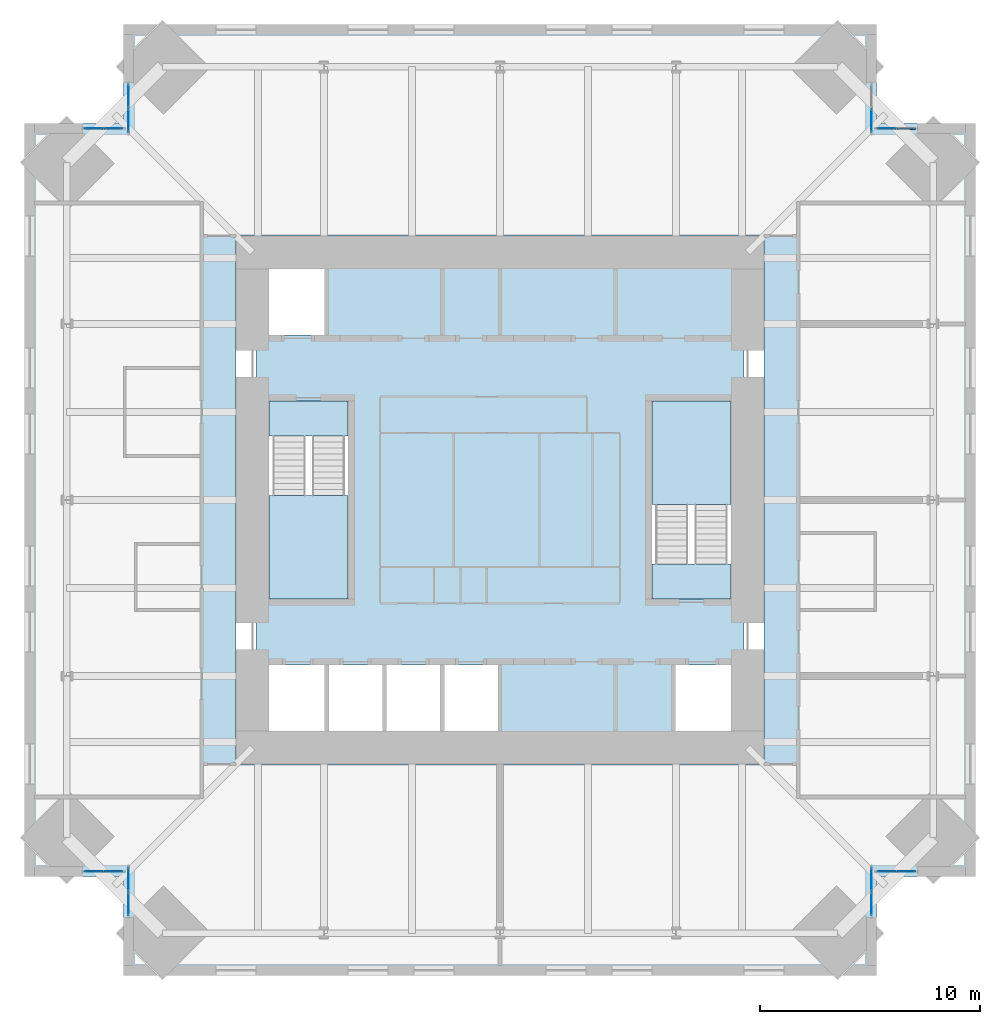
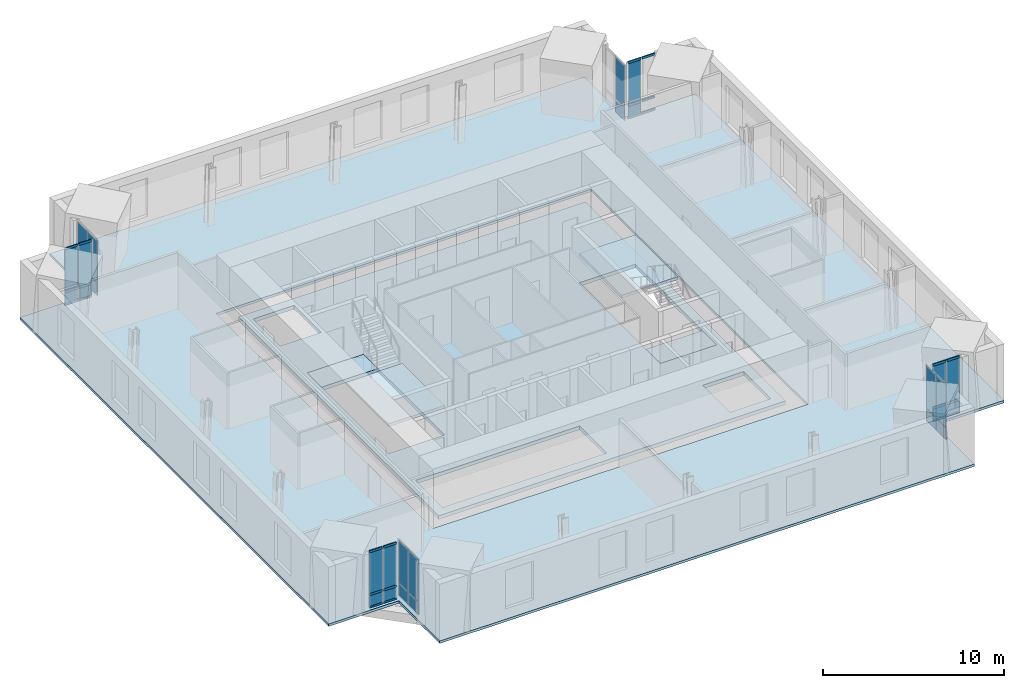
# One storey, part 10 of 16: 28 plates, 24 members, 6 slabs, 10 elements without a shape of their own.
"""IFC4 building model written with IfcOpenShell, lengths in metres."""

from ifc_helpers import new_model, si_unit, direction, frame, origin, origin_2d, place, context, subcontext, project, spatial, polyline, rectangle, hollow_rectangle, outline, extrude, material, layer, layer_set, material_profile, profile_set, type_object, element, aggregate, save


model = new_model("IFC4")

# Units and contexts
model_context = context("Model", 3, precision=1e-05, world=origin(), true_north=direction((0.0, 1.0)))
body_context = subcontext(model_context, "Body", "Model", "MODEL_VIEW")
ifc_project = project(units=[si_unit("LENGTHUNIT", "METRE"), si_unit("AREAUNIT", "SQUARE_METRE"), si_unit("VOLUMEUNIT", "CUBIC_METRE"), si_unit("PLANEANGLEUNIT", "RADIAN"), si_unit("MASSUNIT", "GRAM", prefix="KILO")], contexts=[model_context])

# Site, building, storey
site_placement = place(None, origin())
site = spatial("IfcSite", under=ifc_project, at=site_placement, CompositionType="ELEMENT")
building_placement = place(site_placement, origin())
building = spatial("IfcBuilding", under=site, at=building_placement, Name="Peilmerk Tower", CompositionType="ELEMENT")
storey_placement = place(building_placement, frame((0.0, 0.0, 277.800048828125)))
storey = spatial("IfcBuildingStorey", under=building, at=storey_placement, Name="L62", CompositionType="ELEMENT", Elevation=277.800048828125)

# Curtain wall, members
ifc_material_1 = material(Name="Aluminium stick curtain wall", Category="aluminium")
curtain_wall_type = type_object("IfcCurtainWallType", Name="CW4 stick curtain wall, 2250 module", PredefinedType="NOTDEFINED", material=ifc_material_1)
curtain_wall_1_placement = place(storey_placement, origin())
curtain_wall_1 = element("IfcCurtainWall", 1, at=curtain_wall_1_placement, inside=storey, type_object=curtain_wall_type, Name="Curtain wall CW4 NEB L62", PredefinedType="NOTDEFINED")
ifc_material_2 = material(Name="Aluminium EN AW-6063 T6", Category="aluminium")
ifc_material_profile = material_profile(ifc_material_2, hollow_rectangle(XDim=0.06494140625, YDim=0.14990234375, WallThickness=0.0029296875, at=origin_2d()), Name="AL 150x65x3")
ifc_profile_set = profile_set([ifc_material_profile], Name="Aluminium EN AW-6063 T6")
member_type = type_object("IfcMemberType", Name="CW4-T AL 150x65x3 transom", PredefinedType="USERDEFINED", material=ifc_profile_set)
member_1_placement = place(storey_placement, frame((17.1650390625, 16.875, 0.032470703125), z_axis=(1.0, 0.0, 0.0), x_axis=(0.0, 1.0, 0.0)))
member_1 = element("IfcMember", 2, at=member_1_placement, type_object=member_type, Name="CW4 transom 1.1", ObjectType="TRANSOM", PredefinedType="USERDEFINED", context=body_context, shape_type="SweptSolid", body=[
    extrude(hollow_rectangle(XDim=0.06494140625, YDim=0.14990234375, WallThickness=0.0029296875, at=origin_2d()), origin(), (0.0, 0.0, 1.0), 0.82177734375),
])
member_2_placement = place(storey_placement, frame((17.1650390625, 16.875, 0.89990234375), z_axis=(1.0, 0.0, 0.0), x_axis=(0.0, 1.0, 0.0)))
member_2 = element("IfcMember", 3, at=member_2_placement, type_object=member_type, Name="CW4 transom 1.2", ObjectType="TRANSOM", PredefinedType="USERDEFINED", context=body_context, shape_type="SweptSolid", body=[
    extrude(hollow_rectangle(XDim=0.06494140625, YDim=0.14990234375, WallThickness=0.0029296875, at=origin_2d()), origin(), (0.0, 0.0, 1.0), 0.82177734375),
])
member_3_placement = place(storey_placement, frame((17.1650390625, 16.875, 3.79736328125), z_axis=(1.0, 0.0, 0.0), x_axis=(0.0, 1.0, 0.0)))
member_3 = element("IfcMember", 4, at=member_3_placement, type_object=member_type, Name="CW4 transom 1.3", ObjectType="TRANSOM", PredefinedType="USERDEFINED", context=body_context, shape_type="SweptSolid", body=[
    extrude(hollow_rectangle(XDim=0.06494140625, YDim=0.14990234375, WallThickness=0.0029296875, at=origin_2d()), origin(), (0.0, 0.0, 1.0), 0.82177734375),
])
member_4_placement = place(storey_placement, frame((18.0517578125, 16.875, 0.032470703125), z_axis=(1.0, 0.0, 0.0), x_axis=(0.0, 1.0, 0.0)))
member_4 = element("IfcMember", 5, at=member_4_placement, type_object=member_type, Name="CW4 transom 2.1", ObjectType="TRANSOM", PredefinedType="USERDEFINED", context=body_context, shape_type="SweptSolid", body=[
    extrude(hollow_rectangle(XDim=0.06494140625, YDim=0.14990234375, WallThickness=0.0029296875, at=origin_2d()), origin(), (0.0, 0.0, 1.0), 0.822021484375),
])
member_5_placement = place(storey_placement, frame((18.0517578125, 16.875, 0.89990234375), z_axis=(1.0, 0.0, 0.0), x_axis=(0.0, 1.0, 0.0)))
member_5 = element("IfcMember", 6, at=member_5_placement, type_object=member_type, Name="CW4 transom 2.2", ObjectType="TRANSOM", PredefinedType="USERDEFINED", context=body_context, shape_type="SweptSolid", body=[
    extrude(hollow_rectangle(XDim=0.06494140625, YDim=0.14990234375, WallThickness=0.0029296875, at=origin_2d()), origin(), (0.0, 0.0, 1.0), 0.822021484375),
])
member_6_placement = place(storey_placement, frame((18.0517578125, 16.875, 3.79736328125), z_axis=(1.0, 0.0, 0.0), x_axis=(0.0, 1.0, 0.0)))
member_6 = element("IfcMember", 7, at=member_6_placement, type_object=member_type, Name="CW4 transom 2.3", ObjectType="TRANSOM", PredefinedType="USERDEFINED", context=body_context, shape_type="SweptSolid", body=[
    extrude(hollow_rectangle(XDim=0.06494140625, YDim=0.14990234375, WallThickness=0.0029296875, at=origin_2d()), origin(), (0.0, 0.0, 1.0), 0.822021484375),
])

curtain_wall_2_placement = place(storey_placement, origin())
curtain_wall_2 = element("IfcCurtainWall", 8, at=curtain_wall_2_placement, inside=storey, type_object=curtain_wall_type, Name="Curtain wall CW4 SEB L62", PredefinedType="NOTDEFINED")
member_7_placement = place(storey_placement, frame((17.1650390625, -16.875, 0.032470703125), z_axis=(1.0, 0.0, 0.0), x_axis=(0.0, 1.0, 0.0)))
member_7 = element("IfcMember", 9, at=member_7_placement, type_object=member_type, Name="CW4 transom 1.1", ObjectType="TRANSOM", PredefinedType="USERDEFINED", context=body_context, shape_type="SweptSolid", body=[
    extrude(hollow_rectangle(XDim=0.06494140625, YDim=0.14990234375, WallThickness=0.0029296875, at=origin_2d()), origin(), (0.0, 0.0, 1.0), 0.82177734375),
])
member_8_placement = place(storey_placement, frame((17.1650390625, -16.875, 0.89990234375), z_axis=(1.0, 0.0, 0.0), x_axis=(0.0, 1.0, 0.0)))
member_8 = element("IfcMember", 10, at=member_8_placement, type_object=member_type, Name="CW4 transom 1.2", ObjectType="TRANSOM", PredefinedType="USERDEFINED", context=body_context, shape_type="SweptSolid", body=[
    extrude(hollow_rectangle(XDim=0.06494140625, YDim=0.14990234375, WallThickness=0.0029296875, at=origin_2d()), origin(), (0.0, 0.0, 1.0), 0.82177734375),
])
member_9_placement = place(storey_placement, frame((17.1650390625, -16.875, 3.79736328125), z_axis=(1.0, 0.0, 0.0), x_axis=(0.0, 1.0, 0.0)))
member_9 = element("IfcMember", 11, at=member_9_placement, type_object=member_type, Name="CW4 transom 1.3", ObjectType="TRANSOM", PredefinedType="USERDEFINED", context=body_context, shape_type="SweptSolid", body=[
    extrude(hollow_rectangle(XDim=0.06494140625, YDim=0.14990234375, WallThickness=0.0029296875, at=origin_2d()), origin(), (0.0, 0.0, 1.0), 0.82177734375),
])
member_10_placement = place(storey_placement, frame((18.0517578125, -16.875, 0.032470703125), z_axis=(1.0, 0.0, 0.0), x_axis=(0.0, 1.0, 0.0)))
member_10 = element("IfcMember", 12, at=member_10_placement, type_object=member_type, Name="CW4 transom 2.1", ObjectType="TRANSOM", PredefinedType="USERDEFINED", context=body_context, shape_type="SweptSolid", body=[
    extrude(hollow_rectangle(XDim=0.06494140625, YDim=0.14990234375, WallThickness=0.0029296875, at=origin_2d()), origin(), (0.0, 0.0, 1.0), 0.822021484375),
])
member_11_placement = place(storey_placement, frame((18.0517578125, -16.875, 0.89990234375), z_axis=(1.0, 0.0, 0.0), x_axis=(0.0, 1.0, 0.0)))
member_11 = element("IfcMember", 13, at=member_11_placement, type_object=member_type, Name="CW4 transom 2.2", ObjectType="TRANSOM", PredefinedType="USERDEFINED", context=body_context, shape_type="SweptSolid", body=[
    extrude(hollow_rectangle(XDim=0.06494140625, YDim=0.14990234375, WallThickness=0.0029296875, at=origin_2d()), origin(), (0.0, 0.0, 1.0), 0.822021484375),
])
member_12_placement = place(storey_placement, frame((18.0517578125, -16.875, 3.79736328125), z_axis=(1.0, 0.0, 0.0), x_axis=(0.0, 1.0, 0.0)))
member_12 = element("IfcMember", 14, at=member_12_placement, type_object=member_type, Name="CW4 transom 2.3", ObjectType="TRANSOM", PredefinedType="USERDEFINED", context=body_context, shape_type="SweptSolid", body=[
    extrude(hollow_rectangle(XDim=0.06494140625, YDim=0.14990234375, WallThickness=0.0029296875, at=origin_2d()), origin(), (0.0, 0.0, 1.0), 0.822021484375),
])

curtain_wall_3_placement = place(storey_placement, origin())
curtain_wall_3 = element("IfcCurtainWall", 15, at=curtain_wall_3_placement, inside=storey, type_object=curtain_wall_type, Name="Curtain wall CW4 SWB L62", PredefinedType="NOTDEFINED")
member_13_placement = place(storey_placement, frame((-17.1650390625, -16.875, 0.032470703125), z_axis=(-1.0, 0.0, 0.0), x_axis=(0.0, -1.0, 0.0)))
member_13 = element("IfcMember", 16, at=member_13_placement, type_object=member_type, Name="CW4 transom 1.1", ObjectType="TRANSOM", PredefinedType="USERDEFINED", context=body_context, shape_type="SweptSolid", body=[
    extrude(hollow_rectangle(XDim=0.06494140625, YDim=0.14990234375, WallThickness=0.0029296875, at=origin_2d()), origin(), (0.0, 0.0, 1.0), 0.82177734375),
])
member_14_placement = place(storey_placement, frame((-17.1650390625, -16.875, 0.89990234375), z_axis=(-1.0, 0.0, 0.0), x_axis=(0.0, -1.0, 0.0)))
member_14 = element("IfcMember", 17, at=member_14_placement, type_object=member_type, Name="CW4 transom 1.2", ObjectType="TRANSOM", PredefinedType="USERDEFINED", context=body_context, shape_type="SweptSolid", body=[
    extrude(hollow_rectangle(XDim=0.06494140625, YDim=0.14990234375, WallThickness=0.0029296875, at=origin_2d()), origin(), (0.0, 0.0, 1.0), 0.82177734375),
])
member_15_placement = place(storey_placement, frame((-17.1650390625, -16.875, 3.79736328125), z_axis=(-1.0, 0.0, 0.0), x_axis=(0.0, -1.0, 0.0)))
member_15 = element("IfcMember", 18, at=member_15_placement, type_object=member_type, Name="CW4 transom 1.3", ObjectType="TRANSOM", PredefinedType="USERDEFINED", context=body_context, shape_type="SweptSolid", body=[
    extrude(hollow_rectangle(XDim=0.06494140625, YDim=0.14990234375, WallThickness=0.0029296875, at=origin_2d()), origin(), (0.0, 0.0, 1.0), 0.82177734375),
])
member_16_placement = place(storey_placement, frame((-18.0517578125, -16.875, 0.032470703125), z_axis=(-1.0, 0.0, 0.0), x_axis=(0.0, -1.0, 0.0)))
member_16 = element("IfcMember", 19, at=member_16_placement, type_object=member_type, Name="CW4 transom 2.1", ObjectType="TRANSOM", PredefinedType="USERDEFINED", context=body_context, shape_type="SweptSolid", body=[
    extrude(hollow_rectangle(XDim=0.06494140625, YDim=0.14990234375, WallThickness=0.0029296875, at=origin_2d()), origin(), (0.0, 0.0, 1.0), 0.822021484375),
])
member_17_placement = place(storey_placement, frame((-18.0517578125, -16.875, 0.89990234375), z_axis=(-1.0, 0.0, 0.0), x_axis=(0.0, -1.0, 0.0)))
member_17 = element("IfcMember", 20, at=member_17_placement, type_object=member_type, Name="CW4 transom 2.2", ObjectType="TRANSOM", PredefinedType="USERDEFINED", context=body_context, shape_type="SweptSolid", body=[
    extrude(hollow_rectangle(XDim=0.06494140625, YDim=0.14990234375, WallThickness=0.0029296875, at=origin_2d()), origin(), (0.0, 0.0, 1.0), 0.822021484375),
])
member_18_placement = place(storey_placement, frame((-18.0517578125, -16.875, 3.79736328125), z_axis=(-1.0, 0.0, 0.0), x_axis=(0.0, -1.0, 0.0)))
member_18 = element("IfcMember", 21, at=member_18_placement, type_object=member_type, Name="CW4 transom 2.3", ObjectType="TRANSOM", PredefinedType="USERDEFINED", context=body_context, shape_type="SweptSolid", body=[
    extrude(hollow_rectangle(XDim=0.06494140625, YDim=0.14990234375, WallThickness=0.0029296875, at=origin_2d()), origin(), (0.0, 0.0, 1.0), 0.822021484375),
])

curtain_wall_4_placement = place(storey_placement, origin())
curtain_wall_4 = element("IfcCurtainWall", 22, at=curtain_wall_4_placement, inside=storey, type_object=curtain_wall_type, Name="Curtain wall CW4 NWB L62", PredefinedType="NOTDEFINED")
member_19_placement = place(storey_placement, frame((-17.1650390625, 16.875, 0.032470703125), z_axis=(-1.0, 0.0, 0.0), x_axis=(0.0, -1.0, 0.0)))
member_19 = element("IfcMember", 23, at=member_19_placement, type_object=member_type, Name="CW4 transom 1.1", ObjectType="TRANSOM", PredefinedType="USERDEFINED", context=body_context, shape_type="SweptSolid", body=[
    extrude(hollow_rectangle(XDim=0.06494140625, YDim=0.14990234375, WallThickness=0.0029296875, at=origin_2d()), origin(), (0.0, 0.0, 1.0), 0.82177734375),
])
member_20_placement = place(storey_placement, frame((-17.1650390625, 16.875, 0.89990234375), z_axis=(-1.0, 0.0, 0.0), x_axis=(0.0, -1.0, 0.0)))
member_20 = element("IfcMember", 24, at=member_20_placement, type_object=member_type, Name="CW4 transom 1.2", ObjectType="TRANSOM", PredefinedType="USERDEFINED", context=body_context, shape_type="SweptSolid", body=[
    extrude(hollow_rectangle(XDim=0.06494140625, YDim=0.14990234375, WallThickness=0.0029296875, at=origin_2d()), origin(), (0.0, 0.0, 1.0), 0.82177734375),
])
member_21_placement = place(storey_placement, frame((-17.1650390625, 16.875, 3.79736328125), z_axis=(-1.0, 0.0, 0.0), x_axis=(0.0, -1.0, 0.0)))
member_21 = element("IfcMember", 25, at=member_21_placement, type_object=member_type, Name="CW4 transom 1.3", ObjectType="TRANSOM", PredefinedType="USERDEFINED", context=body_context, shape_type="SweptSolid", body=[
    extrude(hollow_rectangle(XDim=0.06494140625, YDim=0.14990234375, WallThickness=0.0029296875, at=origin_2d()), origin(), (0.0, 0.0, 1.0), 0.82177734375),
])
member_22_placement = place(storey_placement, frame((-18.0517578125, 16.875, 0.032470703125), z_axis=(-1.0, 0.0, 0.0), x_axis=(0.0, -1.0, 0.0)))
member_22 = element("IfcMember", 26, at=member_22_placement, type_object=member_type, Name="CW4 transom 2.1", ObjectType="TRANSOM", PredefinedType="USERDEFINED", context=body_context, shape_type="SweptSolid", body=[
    extrude(hollow_rectangle(XDim=0.06494140625, YDim=0.14990234375, WallThickness=0.0029296875, at=origin_2d()), origin(), (0.0, 0.0, 1.0), 0.822021484375),
])
member_23_placement = place(storey_placement, frame((-18.0517578125, 16.875, 0.89990234375), z_axis=(-1.0, 0.0, 0.0), x_axis=(0.0, -1.0, 0.0)))
member_23 = element("IfcMember", 27, at=member_23_placement, type_object=member_type, Name="CW4 transom 2.2", ObjectType="TRANSOM", PredefinedType="USERDEFINED", context=body_context, shape_type="SweptSolid", body=[
    extrude(hollow_rectangle(XDim=0.06494140625, YDim=0.14990234375, WallThickness=0.0029296875, at=origin_2d()), origin(), (0.0, 0.0, 1.0), 0.822021484375),
])
member_24_placement = place(storey_placement, frame((-18.0517578125, 16.875, 3.79736328125), z_axis=(-1.0, 0.0, 0.0), x_axis=(0.0, -1.0, 0.0)))
member_24 = element("IfcMember", 28, at=member_24_placement, type_object=member_type, Name="CW4 transom 2.3", ObjectType="TRANSOM", PredefinedType="USERDEFINED", context=body_context, shape_type="SweptSolid", body=[
    extrude(hollow_rectangle(XDim=0.06494140625, YDim=0.14990234375, WallThickness=0.0029296875, at=origin_2d()), origin(), (0.0, 0.0, 1.0), 0.822021484375),
])

# Slab
ifc_material_3 = material(Name="Concrete C55/67", Category="concrete")
ifc_layer_1 = layer(ifc_material_3, 0.25)
ifc_layer_set_1 = layer_set([ifc_layer_1], Name="Concrete C55/67")
slab_type_1 = type_object("IfcSlabType", Name="CS250 250 core floor slab", PredefinedType="FLOOR", material=ifc_layer_set_1)
slab_1_placement = place(storey_placement, frame((0.0, 0.0, -0.25)))
element("IfcSlab", 29, at=slab_1_placement, inside=storey, type_object=slab_type_1, Name="Core slab L62", PredefinedType="FLOOR", context=body_context, shape_type="SweptSolid", body=[
    extrude(outline(polyline([(11.10009765625, -11.10009765625), (11.10009765625, 11.10009765625), (-11.10009765625, 11.10009765625), (-11.10009765625, -11.10009765625), (11.10009765625, -11.10009765625)]), holes=[polyline([(-7.875, 7.5), (-10.5, 7.5), (-10.5, 10.5), (-7.875, 10.5), (-7.875, 7.5)]), polyline([(0.0, -10.5), (-10.5, -10.5), (-10.5, -7.5), (0.0, -7.5), (0.0, -10.5)]), polyline([(7.875, -10.5), (7.875, -7.5), (10.5, -7.5), (10.5, -10.5), (7.875, -10.5)]), polyline([(-10.5, 4.5), (-6.89990234375, 4.5), (-6.89990234375, -4.5), (-10.5, -4.5), (-10.5, 4.5)]), polyline([(10.5, 4.5), (10.5, -4.5), (6.89990234375, -4.5), (6.89990234375, 4.5), (10.5, 4.5)])]), origin(), (0.0, 0.0, 1.0), 0.25),
])

# Curtain wall, plates
curtain_wall_5_placement = place(storey_placement, origin())
curtain_wall_5 = element("IfcCurtainWall", 30, at=curtain_wall_5_placement, inside=storey, type_object=curtain_wall_type, Name="Curtain wall CW4 NEA L62", PredefinedType="NOTDEFINED")
ifc_material_4 = material(Name="Clear insulated glazing unit", Category="glass")
ifc_layer_2 = layer(ifc_material_4, 0.028076171875)
ifc_layer_set_2 = layer_set([ifc_layer_2], Name="Clear insulated glazing unit")
plate_type = type_object("IfcPlateType", Name="CW4-P 28 glazed panel", PredefinedType="CURTAIN_PANEL", material=ifc_layer_set_2)
plate_1_placement = place(storey_placement, frame((16.875, 17.238525390625, 0.06494140625), z_axis=(0.0, 0.0, 1.0), x_axis=(0.0, 1.0, 0.0)))
plate_1 = element("IfcPlate", 31, at=plate_1_placement, type_object=plate_type, Name="CW4 panel 1.1", PredefinedType="CURTAIN_PANEL", context=body_context, shape_type="SweptSolid", body=[
    extrude(rectangle(XDim=1.046875, YDim=0.028076171875, at=origin_2d()), origin(), (0.0, 0.0, 1.0), 0.802490234375),
])
plate_2_placement = place(storey_placement, frame((16.875, 17.238525390625, 0.932373046875), z_axis=(0.0, 0.0, 1.0), x_axis=(0.0, 1.0, 0.0)))
plate_2 = element("IfcPlate", 32, at=plate_2_placement, type_object=plate_type, Name="CW4 panel 1.2", PredefinedType="CURTAIN_PANEL", context=body_context, shape_type="SweptSolid", body=[
    extrude(rectangle(XDim=1.046875, YDim=0.028076171875, at=origin_2d()), origin(), (0.0, 0.0, 1.0), 2.83251953125),
])
aggregate(curtain_wall_5, [plate_1, plate_2])

# Plate
plate_3_placement = place(storey_placement, frame((17.575927734375, 16.875, 0.06494140625), z_axis=(0.0, 0.0, 1.0), x_axis=(1.0, 0.0, 0.0)))
plate_3 = element("IfcPlate", 33, at=plate_3_placement, type_object=plate_type, Name="CW4 panel 1.1", PredefinedType="CURTAIN_PANEL", context=body_context, shape_type="SweptSolid", body=[
    extrude(rectangle(XDim=0.82177734375, YDim=0.028076171875, at=origin_2d()), origin(), (0.0, 0.0, 1.0), 0.802490234375),
])

plate_4_placement = place(storey_placement, frame((17.575927734375, 16.875, 0.932373046875), z_axis=(0.0, 0.0, 1.0), x_axis=(1.0, 0.0, 0.0)))
plate_4 = element("IfcPlate", 34, at=plate_4_placement, type_object=plate_type, Name="CW4 panel 1.2", PredefinedType="CURTAIN_PANEL", context=body_context, shape_type="SweptSolid", body=[
    extrude(rectangle(XDim=0.82177734375, YDim=0.028076171875, at=origin_2d()), origin(), (0.0, 0.0, 1.0), 2.83251953125),
])

aggregate(curtain_wall_1, [member_1, member_2, member_3, plate_3, plate_4, member_4, member_5, member_6])

# Curtain wall, plates
curtain_wall_6_placement = place(storey_placement, origin())
curtain_wall_6 = element("IfcCurtainWall", 35, at=curtain_wall_6_placement, inside=storey, type_object=curtain_wall_type, Name="Curtain wall CW4 SEA L62", PredefinedType="NOTDEFINED")
plate_5_placement = place(storey_placement, frame((16.875, -17.238525390625, 0.06494140625), z_axis=(0.0, 0.0, 1.0), x_axis=(0.0, -1.0, 0.0)))
plate_5 = element("IfcPlate", 36, at=plate_5_placement, type_object=plate_type, Name="CW4 panel 1.1", PredefinedType="CURTAIN_PANEL", context=body_context, shape_type="SweptSolid", body=[
    extrude(rectangle(XDim=1.046875, YDim=0.028076171875, at=origin_2d()), origin(), (0.0, 0.0, 1.0), 0.802490234375),
])
plate_6_placement = place(storey_placement, frame((16.875, -17.238525390625, 0.932373046875), z_axis=(0.0, 0.0, 1.0), x_axis=(0.0, -1.0, 0.0)))
plate_6 = element("IfcPlate", 37, at=plate_6_placement, type_object=plate_type, Name="CW4 panel 1.2", PredefinedType="CURTAIN_PANEL", context=body_context, shape_type="SweptSolid", body=[
    extrude(rectangle(XDim=1.046875, YDim=0.028076171875, at=origin_2d()), origin(), (0.0, 0.0, 1.0), 2.83251953125),
])
plate_7_placement = place(storey_placement, frame((16.875, -18.350341796875, 0.06494140625), z_axis=(0.0, 0.0, 1.0), x_axis=(0.0, -1.0, 0.0)))
plate_7 = element("IfcPlate", 38, at=plate_7_placement, type_object=plate_type, Name="CW4 panel 2.1", PredefinedType="CURTAIN_PANEL", context=body_context, shape_type="SweptSolid", body=[
    extrude(rectangle(XDim=1.046875, YDim=0.028076171875, at=origin_2d()), origin(), (0.0, 0.0, 1.0), 0.802490234375),
])
plate_8_placement = place(storey_placement, frame((16.875, -18.350341796875, 0.932373046875), z_axis=(0.0, 0.0, 1.0), x_axis=(0.0, -1.0, 0.0)))
plate_8 = element("IfcPlate", 39, at=plate_8_placement, type_object=plate_type, Name="CW4 panel 2.2", PredefinedType="CURTAIN_PANEL", context=body_context, shape_type="SweptSolid", body=[
    extrude(rectangle(XDim=1.046875, YDim=0.028076171875, at=origin_2d()), origin(), (0.0, 0.0, 1.0), 2.83251953125),
])
aggregate(curtain_wall_6, [plate_5, plate_6, plate_7, plate_8])

# Plate
plate_9_placement = place(storey_placement, frame((17.575927734375, -16.875, 0.06494140625), z_axis=(0.0, 0.0, 1.0), x_axis=(1.0, 0.0, 0.0)))
plate_9 = element("IfcPlate", 40, at=plate_9_placement, type_object=plate_type, Name="CW4 panel 1.1", PredefinedType="CURTAIN_PANEL", context=body_context, shape_type="SweptSolid", body=[
    extrude(rectangle(XDim=0.82177734375, YDim=0.028076171875, at=origin_2d()), origin(), (0.0, 0.0, 1.0), 0.802490234375),
])

plate_10_placement = place(storey_placement, frame((17.575927734375, -16.875, 0.932373046875), z_axis=(0.0, 0.0, 1.0), x_axis=(1.0, 0.0, 0.0)))
plate_10 = element("IfcPlate", 41, at=plate_10_placement, type_object=plate_type, Name="CW4 panel 1.2", PredefinedType="CURTAIN_PANEL", context=body_context, shape_type="SweptSolid", body=[
    extrude(rectangle(XDim=0.82177734375, YDim=0.028076171875, at=origin_2d()), origin(), (0.0, 0.0, 1.0), 2.83251953125),
])

plate_11_placement = place(storey_placement, frame((18.462646484375, -16.875, 0.06494140625), z_axis=(0.0, 0.0, 1.0), x_axis=(1.0, 0.0, 0.0)))
plate_11 = element("IfcPlate", 42, at=plate_11_placement, type_object=plate_type, Name="CW4 panel 2.1", PredefinedType="CURTAIN_PANEL", context=body_context, shape_type="SweptSolid", body=[
    extrude(rectangle(XDim=0.82177734375, YDim=0.028076171875, at=origin_2d()), origin(), (0.0, 0.0, 1.0), 0.802490234375),
])

plate_12_placement = place(storey_placement, frame((18.462646484375, -16.875, 0.932373046875), z_axis=(0.0, 0.0, 1.0), x_axis=(1.0, 0.0, 0.0)))
plate_12 = element("IfcPlate", 43, at=plate_12_placement, type_object=plate_type, Name="CW4 panel 2.2", PredefinedType="CURTAIN_PANEL", context=body_context, shape_type="SweptSolid", body=[
    extrude(rectangle(XDim=0.82177734375, YDim=0.028076171875, at=origin_2d()), origin(), (0.0, 0.0, 1.0), 2.83251953125),
])

aggregate(curtain_wall_2, [member_7, member_8, member_9, plate_9, plate_10, member_10, member_11, member_12, plate_11, plate_12])

# Curtain wall, plates
curtain_wall_7_placement = place(storey_placement, origin())
curtain_wall_7 = element("IfcCurtainWall", 44, at=curtain_wall_7_placement, inside=storey, type_object=curtain_wall_type, Name="Curtain wall CW4 SWA L62", PredefinedType="NOTDEFINED")
plate_13_placement = place(storey_placement, frame((-16.875, -17.238525390625, 0.06494140625), z_axis=(0.0, 0.0, 1.0), x_axis=(0.0, -1.0, 0.0)))
plate_13 = element("IfcPlate", 45, at=plate_13_placement, type_object=plate_type, Name="CW4 panel 1.1", PredefinedType="CURTAIN_PANEL", context=body_context, shape_type="SweptSolid", body=[
    extrude(rectangle(XDim=1.046875, YDim=0.028076171875, at=origin_2d()), origin(), (0.0, 0.0, 1.0), 0.802490234375),
])
plate_14_placement = place(storey_placement, frame((-16.875, -17.238525390625, 0.932373046875), z_axis=(0.0, 0.0, 1.0), x_axis=(0.0, -1.0, 0.0)))
plate_14 = element("IfcPlate", 46, at=plate_14_placement, type_object=plate_type, Name="CW4 panel 1.2", PredefinedType="CURTAIN_PANEL", context=body_context, shape_type="SweptSolid", body=[
    extrude(rectangle(XDim=1.046875, YDim=0.028076171875, at=origin_2d()), origin(), (0.0, 0.0, 1.0), 2.83251953125),
])
plate_15_placement = place(storey_placement, frame((-16.875, -18.350341796875, 0.06494140625), z_axis=(0.0, 0.0, 1.0), x_axis=(0.0, -1.0, 0.0)))
plate_15 = element("IfcPlate", 47, at=plate_15_placement, type_object=plate_type, Name="CW4 panel 2.1", PredefinedType="CURTAIN_PANEL", context=body_context, shape_type="SweptSolid", body=[
    extrude(rectangle(XDim=1.046875, YDim=0.028076171875, at=origin_2d()), origin(), (0.0, 0.0, 1.0), 0.802490234375),
])
plate_16_placement = place(storey_placement, frame((-16.875, -18.350341796875, 0.932373046875), z_axis=(0.0, 0.0, 1.0), x_axis=(0.0, -1.0, 0.0)))
plate_16 = element("IfcPlate", 48, at=plate_16_placement, type_object=plate_type, Name="CW4 panel 2.2", PredefinedType="CURTAIN_PANEL", context=body_context, shape_type="SweptSolid", body=[
    extrude(rectangle(XDim=1.046875, YDim=0.028076171875, at=origin_2d()), origin(), (0.0, 0.0, 1.0), 2.83251953125),
])
aggregate(curtain_wall_7, [plate_13, plate_14, plate_15, plate_16])

# Plate
plate_17_placement = place(storey_placement, frame((-17.575927734375, -16.875, 0.06494140625), z_axis=(0.0, 0.0, 1.0), x_axis=(-1.0, 0.0, 0.0)))
plate_17 = element("IfcPlate", 49, at=plate_17_placement, type_object=plate_type, Name="CW4 panel 1.1", PredefinedType="CURTAIN_PANEL", context=body_context, shape_type="SweptSolid", body=[
    extrude(rectangle(XDim=0.82177734375, YDim=0.028076171875, at=origin_2d()), origin(), (0.0, 0.0, 1.0), 0.802490234375),
])

plate_18_placement = place(storey_placement, frame((-17.575927734375, -16.875, 0.932373046875), z_axis=(0.0, 0.0, 1.0), x_axis=(-1.0, 0.0, 0.0)))
plate_18 = element("IfcPlate", 50, at=plate_18_placement, type_object=plate_type, Name="CW4 panel 1.2", PredefinedType="CURTAIN_PANEL", context=body_context, shape_type="SweptSolid", body=[
    extrude(rectangle(XDim=0.82177734375, YDim=0.028076171875, at=origin_2d()), origin(), (0.0, 0.0, 1.0), 2.83251953125),
])

plate_19_placement = place(storey_placement, frame((-18.462646484375, -16.875, 0.06494140625), z_axis=(0.0, 0.0, 1.0), x_axis=(-1.0, 0.0, 0.0)))
plate_19 = element("IfcPlate", 51, at=plate_19_placement, type_object=plate_type, Name="CW4 panel 2.1", PredefinedType="CURTAIN_PANEL", context=body_context, shape_type="SweptSolid", body=[
    extrude(rectangle(XDim=0.82177734375, YDim=0.028076171875, at=origin_2d()), origin(), (0.0, 0.0, 1.0), 0.802490234375),
])

plate_20_placement = place(storey_placement, frame((-18.462646484375, -16.875, 0.932373046875), z_axis=(0.0, 0.0, 1.0), x_axis=(-1.0, 0.0, 0.0)))
plate_20 = element("IfcPlate", 52, at=plate_20_placement, type_object=plate_type, Name="CW4 panel 2.2", PredefinedType="CURTAIN_PANEL", context=body_context, shape_type="SweptSolid", body=[
    extrude(rectangle(XDim=0.82177734375, YDim=0.028076171875, at=origin_2d()), origin(), (0.0, 0.0, 1.0), 2.83251953125),
])

aggregate(curtain_wall_3, [member_13, member_14, member_15, plate_17, plate_18, member_16, member_17, member_18, plate_19, plate_20])

# Curtain wall, plates
curtain_wall_8_placement = place(storey_placement, origin())
curtain_wall_8 = element("IfcCurtainWall", 53, at=curtain_wall_8_placement, inside=storey, type_object=curtain_wall_type, Name="Curtain wall CW4 NWA L62", PredefinedType="NOTDEFINED")
plate_21_placement = place(storey_placement, frame((-16.875, 17.238525390625, 0.06494140625), z_axis=(0.0, 0.0, 1.0), x_axis=(0.0, 1.0, 0.0)))
plate_21 = element("IfcPlate", 54, at=plate_21_placement, type_object=plate_type, Name="CW4 panel 1.1", PredefinedType="CURTAIN_PANEL", context=body_context, shape_type="SweptSolid", body=[
    extrude(rectangle(XDim=1.046875, YDim=0.028076171875, at=origin_2d()), origin(), (0.0, 0.0, 1.0), 0.802490234375),
])
plate_22_placement = place(storey_placement, frame((-16.875, 17.238525390625, 0.932373046875), z_axis=(0.0, 0.0, 1.0), x_axis=(0.0, 1.0, 0.0)))
plate_22 = element("IfcPlate", 55, at=plate_22_placement, type_object=plate_type, Name="CW4 panel 1.2", PredefinedType="CURTAIN_PANEL", context=body_context, shape_type="SweptSolid", body=[
    extrude(rectangle(XDim=1.046875, YDim=0.028076171875, at=origin_2d()), origin(), (0.0, 0.0, 1.0), 2.83251953125),
])
plate_23_placement = place(storey_placement, frame((-16.875, 18.350341796875, 0.06494140625), z_axis=(0.0, 0.0, 1.0), x_axis=(0.0, 1.0, 0.0)))
plate_23 = element("IfcPlate", 56, at=plate_23_placement, type_object=plate_type, Name="CW4 panel 2.1", PredefinedType="CURTAIN_PANEL", context=body_context, shape_type="SweptSolid", body=[
    extrude(rectangle(XDim=1.046875, YDim=0.028076171875, at=origin_2d()), origin(), (0.0, 0.0, 1.0), 0.802490234375),
])
plate_24_placement = place(storey_placement, frame((-16.875, 18.350341796875, 0.932373046875), z_axis=(0.0, 0.0, 1.0), x_axis=(0.0, 1.0, 0.0)))
plate_24 = element("IfcPlate", 57, at=plate_24_placement, type_object=plate_type, Name="CW4 panel 2.2", PredefinedType="CURTAIN_PANEL", context=body_context, shape_type="SweptSolid", body=[
    extrude(rectangle(XDim=1.046875, YDim=0.028076171875, at=origin_2d()), origin(), (0.0, 0.0, 1.0), 2.83251953125),
])
aggregate(curtain_wall_8, [plate_21, plate_22, plate_23, plate_24])

# Plate
plate_25_placement = place(storey_placement, frame((-17.575927734375, 16.875, 0.06494140625), z_axis=(0.0, 0.0, 1.0), x_axis=(-1.0, 0.0, 0.0)))
plate_25 = element("IfcPlate", 58, at=plate_25_placement, type_object=plate_type, Name="CW4 panel 1.1", PredefinedType="CURTAIN_PANEL", context=body_context, shape_type="SweptSolid", body=[
    extrude(rectangle(XDim=0.82177734375, YDim=0.028076171875, at=origin_2d()), origin(), (0.0, 0.0, 1.0), 0.802490234375),
])

plate_26_placement = place(storey_placement, frame((-17.575927734375, 16.875, 0.932373046875), z_axis=(0.0, 0.0, 1.0), x_axis=(-1.0, 0.0, 0.0)))
plate_26 = element("IfcPlate", 59, at=plate_26_placement, type_object=plate_type, Name="CW4 panel 1.2", PredefinedType="CURTAIN_PANEL", context=body_context, shape_type="SweptSolid", body=[
    extrude(rectangle(XDim=0.82177734375, YDim=0.028076171875, at=origin_2d()), origin(), (0.0, 0.0, 1.0), 2.83251953125),
])

plate_27_placement = place(storey_placement, frame((-18.462646484375, 16.875, 0.06494140625), z_axis=(0.0, 0.0, 1.0), x_axis=(-1.0, 0.0, 0.0)))
plate_27 = element("IfcPlate", 60, at=plate_27_placement, type_object=plate_type, Name="CW4 panel 2.1", PredefinedType="CURTAIN_PANEL", context=body_context, shape_type="SweptSolid", body=[
    extrude(rectangle(XDim=0.82177734375, YDim=0.028076171875, at=origin_2d()), origin(), (0.0, 0.0, 1.0), 0.802490234375),
])

plate_28_placement = place(storey_placement, frame((-18.462646484375, 16.875, 0.932373046875), z_axis=(0.0, 0.0, 1.0), x_axis=(-1.0, 0.0, 0.0)))
plate_28 = element("IfcPlate", 61, at=plate_28_placement, type_object=plate_type, Name="CW4 panel 2.2", PredefinedType="CURTAIN_PANEL", context=body_context, shape_type="SweptSolid", body=[
    extrude(rectangle(XDim=0.82177734375, YDim=0.028076171875, at=origin_2d()), origin(), (0.0, 0.0, 1.0), 2.83251953125),
])

aggregate(curtain_wall_4, [member_19, member_20, member_21, plate_25, plate_26, member_22, member_23, member_24, plate_27, plate_28])

# Slab
ifc_material_5 = material(Name="Concrete C35/45", Category="concrete")
ifc_layer_3 = layer(ifc_material_5, 0.169921875)
ifc_layer_set_3 = layer_set([ifc_layer_3], Name="Concrete C35/45")
slab_type_2 = type_object("IfcSlabType", Name="FS170 170 composite floor slab", PredefinedType="FLOOR", material=ifc_layer_set_3)
slab_2_placement = place(storey_placement, frame((0.0, 0.0, -0.170166015625)))
element("IfcSlab", 62, at=slab_2_placement, inside=storey, type_object=slab_type_2, Name="Floor slab L62", PredefinedType="FLOOR", context=body_context, shape_type="SweptSolid", body=[
    extrude(outline(polyline([(-17.10009765625, -21.60009765625), (17.10009765625, -21.60009765625), (17.10009765625, -17.10009765625), (21.60009765625, -17.10009765625), (21.60009765625, 17.10009765625), (17.10009765625, 17.10009765625), (17.10009765625, 21.60009765625), (-17.10009765625, 21.60009765625), (-17.10009765625, 17.10009765625), (-21.60009765625, 17.10009765625), (-21.60009765625, -17.10009765625), (-17.10009765625, -17.10009765625), (-17.10009765625, -21.60009765625)]), holes=[polyline([(12.0, 12.0), (12.0, -12.0), (-12.0, -12.0), (-12.0, 12.0), (12.0, 12.0)])]), origin(), (0.0, 0.0, 1.0), 0.170166015625),
])

# Stair, slab
ifc_material_6 = material(Name="Precast concrete C45/55", Category="concrete")
stair_type_1 = type_object("IfcStairType", Name="ST1 22 risers of 181.8", PredefinedType="HALF_TURN_STAIR", material=ifc_material_6)
stair_1_placement = place(storey_placement, origin())
stair_1 = element("IfcStair", 63, at=stair_1_placement, inside=storey, type_object=stair_type_1, Name="Stair 1 L62 to L63", PredefinedType="HALF_TURN_STAIR")
ifc_layer_4 = layer(ifc_material_5, 0.199951171875)
ifc_layer_set_4 = layer_set([ifc_layer_4], Name="Concrete C35/45")
slab_type_3 = type_object("IfcSlabType", Name="SL1 200 concrete stair landing", PredefinedType="LANDING", material=ifc_layer_set_4)
slab_3_placement = place(storey_placement, frame((0.0, 0.0, 1.800048828125)))
slab_3 = element("IfcSlab", 64, at=slab_3_placement, type_object=slab_type_3, Name="ST1 landing 1", PredefinedType="LANDING", context=body_context, shape_type="SweptSolid", body=[
    extrude(outline(polyline([(-10.5, -4.5), (-6.89990234375, -4.5), (-6.89990234375, 0.199951171875), (-10.5, 0.199951171875), (-10.5, -4.5)])), origin(), (0.0, 0.0, 1.0), 0.199951171875),
])

stair_type_2 = type_object("IfcStairType", Name="ST2 22 risers of 181.8", PredefinedType="HALF_TURN_STAIR", material=ifc_material_6)
stair_2_placement = place(storey_placement, origin())
stair_2 = element("IfcStair", 65, at=stair_2_placement, inside=storey, type_object=stair_type_2, Name="Stair 2 L62 to L63", PredefinedType="HALF_TURN_STAIR")
slab_4_placement = place(storey_placement, frame((0.0, 0.0, 1.800048828125)))
slab_4 = element("IfcSlab", 66, at=slab_4_placement, type_object=slab_type_3, Name="ST2 landing 1", PredefinedType="LANDING", context=body_context, shape_type="SweptSolid", body=[
    extrude(outline(polyline([(6.89990234375, -0.199951171875), (10.5, -0.199951171875), (10.5, 4.5), (6.89990234375, 4.5), (6.89990234375, -0.199951171875)])), origin(), (0.0, 0.0, 1.0), 0.199951171875),
])

# Slab
ifc_layer_5 = layer(ifc_material_5, 0.25)
ifc_layer_set_5 = layer_set([ifc_layer_5], Name="Concrete C35/45")
slab_type_4 = type_object("IfcSlabType", Name="SL2 250 concrete floor landing", PredefinedType="LANDING", material=ifc_layer_set_5)
slab_5_placement = place(storey_placement, frame((0.0, 0.0, -0.25)))
slab_5 = element("IfcSlab", 67, at=slab_5_placement, type_object=slab_type_4, Name="ST1 floor landing", PredefinedType="LANDING", context=body_context, shape_type="SweptSolid", body=[
    extrude(outline(polyline([(-10.5, 2.89990234375), (-6.89990234375, 2.89990234375), (-6.89990234375, 4.5), (-10.5, 4.5), (-10.5, 2.89990234375)])), origin(), (0.0, 0.0, 1.0), 0.25),
])

aggregate(stair_1, [slab_3, slab_5])

slab_6_placement = place(storey_placement, frame((0.0, 0.0, -0.25)))
slab_6 = element("IfcSlab", 68, at=slab_6_placement, type_object=slab_type_4, Name="ST2 floor landing", PredefinedType="LANDING", context=body_context, shape_type="SweptSolid", body=[
    extrude(outline(polyline([(6.89990234375, -4.5), (10.5, -4.5), (10.5, -2.89990234375), (6.89990234375, -2.89990234375), (6.89990234375, -4.5)])), origin(), (0.0, 0.0, 1.0), 0.25),
])

aggregate(stair_2, [slab_4, slab_6])

save(model, "model.ifc")
